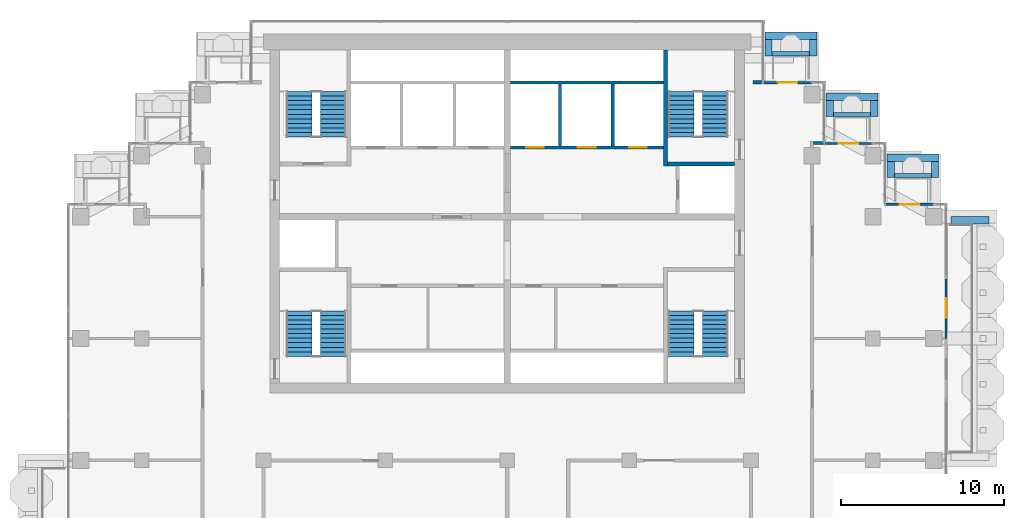
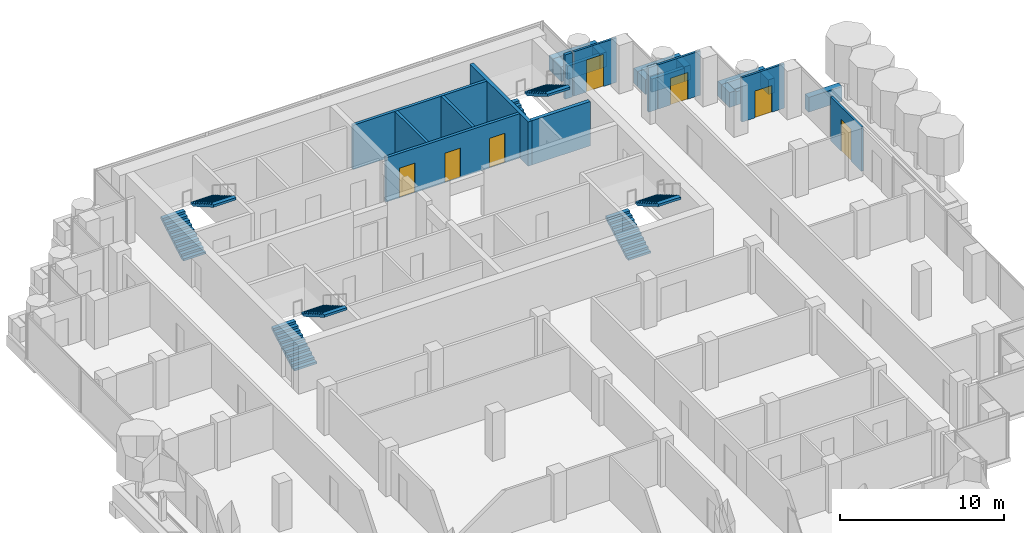
# One storey, part 14 of 18: 25 walls, 8 stair flights, 7 doors, 7 openings, 4 elements without a shape of their own.
"""IFC4 building model written with IfcOpenShell, lengths in metres."""

from ifc_helpers import new_model, si_unit, direction, frame, frame_2d, origin, place, context, subcontext, project, spatial, polyline, rectangle, outline, extrude, material, layer, layer_set, type_object, element, fill, aggregate, save


model = new_model("IFC4")

# Units and contexts
model_context = context("Model", 3, precision=1e-05, world=origin(), true_north=direction((0.0, 1.0)))
body_context = subcontext(model_context, "Body", "Model", "MODEL_VIEW")
ifc_project = project(units=[si_unit("LENGTHUNIT", "METRE"), si_unit("AREAUNIT", "SQUARE_METRE"), si_unit("VOLUMEUNIT", "CUBIC_METRE"), si_unit("PLANEANGLEUNIT", "RADIAN"), si_unit("MASSUNIT", "GRAM", prefix="KILO")], contexts=[model_context])

# Site, building, storey
site_placement = place(None, origin())
site = spatial("IfcSite", under=ifc_project, at=site_placement, CompositionType="ELEMENT")
building_placement = place(site_placement, origin())
building = spatial("IfcBuilding", under=site, at=building_placement, Name="Pilkhan Gate Tower", CompositionType="ELEMENT")
storey_placement = place(building_placement, frame((0.0, 0.0, 195.89990234375)))
storey = spatial("IfcBuildingStorey", under=building, at=storey_placement, Name="L50", CompositionType="ELEMENT", Elevation=195.89990234375)

# Walls
ifc_material_1 = material(Name="Concrete C40/50", Category="concrete")
ifc_layer_1 = layer(ifc_material_1, 0.25)
ifc_layer_set_1 = layer_set([ifc_layer_1], Name="Balcony planter BP250")
wall_type_1 = type_object("IfcWallType", Name="Balcony planter BP250", PredefinedType="USERDEFINED", material=ifc_layer_set_1)
wall_1_placement = place(storey_placement, frame((91.300048828125, 92.52490234375, 0.0), z_axis=(0.0, 0.0, 1.0), x_axis=(1.0, 0.0, 0.0)))
element("IfcWall", 1, at=wall_1_placement, inside=storey, type_object=wall_type_1, Name="Balcony planter L50 N", ObjectType="BALCONY PLANTER", PredefinedType="USERDEFINED", context=body_context, shape_type="SweptSolid", body=[
    extrude(rectangle(XDim=2.300048828125, YDim=0.25, at=frame_2d((1.14990234375, 0.0))), origin(), (0.0, 0.0, 1.0), 1.0),
])
for number, where, z_axis, x_axis, name in (
    (2, (95.070068359375, 88.77490234375, 0.0), (0.0, 0.0, 1.0), (1.0, 0.0, 0.0), "Balcony planter L50 N"),
    (3, (98.820068359375, 85.02490234375, 0.0), (0.0, 0.0, 1.0), (1.0, 0.0, 0.0), "Balcony planter L50 N"),
):
    element("IfcWall", number, at=place(storey_placement, frame(where, z_axis=z_axis, x_axis=x_axis)), inside=storey, type_object=wall_type_1, Name=name, ObjectType="BALCONY PLANTER", PredefinedType="USERDEFINED", context=body_context, shape_type="SweptSolid", body=[
        extrude(rectangle(XDim=2.280029296875, YDim=0.25, at=frame_2d((1.14013671875, 0.0))), origin(), (0.0, 0.0, 1.0), 1.0),
    ])
ifc_material_2 = material(Name="Board-marked Concrete C40/50", Category="concrete")
ifc_layer_2 = layer(ifc_material_2, 0.449951171875)
ifc_layer_set_2 = layer_set([ifc_layer_2], Name="Balcony planter lip BL450")
wall_type_2 = type_object("IfcWallType", Name="Balcony planter lip BL450", PredefinedType="USERDEFINED", material=ifc_layer_set_2)
wall_2_placement = place(storey_placement, frame((102.300048828125, 82.27490234375, 0.0), z_axis=(0.0, 0.0, 1.0), x_axis=(1.0, 0.0, 0.0)))
element("IfcWall", 4, at=wall_2_placement, inside=storey, type_object=wall_type_2, Name="Balcony planter L50 E", ObjectType="BALCONY PLANTER", PredefinedType="USERDEFINED", context=body_context, shape_type="SweptSolid", body=[
    extrude(rectangle(XDim=2.349853515625, YDim=0.449951171875, at=frame_2d((1.1748046875, 0.0))), origin(), (0.0, 0.0, 1.0), 1.10009765625),
])
wall_3_placement = place(storey_placement, frame((90.85009765625, 93.625, 0.0), z_axis=(0.0, 0.0, 1.0), x_axis=(1.0, 0.0, 0.0)))
element("IfcWall", 5, at=wall_3_placement, inside=storey, type_object=wall_type_2, Name="Balcony planter L50 N", ObjectType="BALCONY PLANTER", PredefinedType="USERDEFINED", context=body_context, shape_type="SweptSolid", body=[
    extrude(rectangle(XDim=3.199951171875, YDim=0.449951171875, at=frame_2d((1.60009765625, 0.0))), origin(), (0.0, 0.0, 1.0), 1.10009765625),
])
for number, where, z_axis, x_axis, name in (
    (6, (91.074951171875, 92.39990234375, 0.0), (0.0, 0.0, 1.0), (0.0, 1.0, 0.0), "Balcony planter L50 N"),
    (7, (93.824951171875, 92.39990234375, 0.0), (0.0, 0.0, 1.0), (0.0, 1.0, 0.0), "Balcony planter L50 N"),
):
    element("IfcWall", number, at=place(storey_placement, frame(where, z_axis=z_axis, x_axis=x_axis)), inside=storey, type_object=wall_type_2, Name=name, ObjectType="BALCONY PLANTER", PredefinedType="USERDEFINED", context=body_context, shape_type="SweptSolid", body=[
        extrude(rectangle(XDim=1.0, YDim=0.449951171875, at=frame_2d((0.5, 0.0))), origin(), (0.0, 0.0, 1.0), 1.10009765625),
    ])
wall_4_placement = place(storey_placement, frame((94.6201171875, 89.875, 0.0), z_axis=(0.0, 0.0, 1.0), x_axis=(1.0, 0.0, 0.0)))
element("IfcWall", 8, at=wall_4_placement, inside=storey, type_object=wall_type_2, Name="Balcony planter L50 N", ObjectType="BALCONY PLANTER", PredefinedType="USERDEFINED", context=body_context, shape_type="SweptSolid", body=[
    extrude(rectangle(XDim=3.179931640625, YDim=0.449951171875, at=frame_2d((1.58984375, 0.0))), origin(), (0.0, 0.0, 1.0), 1.10009765625),
])
for number, where, z_axis, x_axis, name in (
    (9, (94.844970703125, 88.64990234375, 0.0), (0.0, 0.0, 1.0), (0.0, 1.0, 0.0), "Balcony planter L50 N"),
    (10, (97.574951171875, 88.64990234375, 0.0), (0.0, 0.0, 1.0), (0.0, 1.0, 0.0), "Balcony planter L50 N"),
):
    element("IfcWall", number, at=place(storey_placement, frame(where, z_axis=z_axis, x_axis=x_axis)), inside=storey, type_object=wall_type_2, Name=name, ObjectType="BALCONY PLANTER", PredefinedType="USERDEFINED", context=body_context, shape_type="SweptSolid", body=[
        extrude(rectangle(XDim=1.0, YDim=0.449951171875, at=frame_2d((0.5, 0.0))), origin(), (0.0, 0.0, 1.0), 1.10009765625),
    ])
wall_5_placement = place(storey_placement, frame((98.3701171875, 86.125, 0.0), z_axis=(0.0, 0.0, 1.0), x_axis=(1.0, 0.0, 0.0)))
element("IfcWall", 11, at=wall_5_placement, inside=storey, type_object=wall_type_2, Name="Balcony planter L50 N", ObjectType="BALCONY PLANTER", PredefinedType="USERDEFINED", context=body_context, shape_type="SweptSolid", body=[
    extrude(rectangle(XDim=3.179931640625, YDim=0.449951171875, at=frame_2d((1.58984375, 0.0))), origin(), (0.0, 0.0, 1.0), 1.10009765625),
])
for number, where, z_axis, x_axis, name in (
    (12, (98.594970703125, 84.89990234375, 0.0), (0.0, 0.0, 1.0), (0.0, 1.0, 0.0), "Balcony planter L50 N"),
    (13, (101.324951171875, 84.89990234375, 0.0), (0.0, 0.0, 1.0), (0.0, 1.0, 0.0), "Balcony planter L50 N"),
):
    element("IfcWall", number, at=place(storey_placement, frame(where, z_axis=z_axis, x_axis=x_axis)), inside=storey, type_object=wall_type_2, Name=name, ObjectType="BALCONY PLANTER", PredefinedType="USERDEFINED", context=body_context, shape_type="SweptSolid", body=[
        extrude(rectangle(XDim=1.0, YDim=0.449951171875, at=frame_2d((0.5, 0.0))), origin(), (0.0, 0.0, 1.0), 1.10009765625),
    ])
ifc_material_3 = material(Name="Dense blockwork", Category="masonry")
ifc_layer_3 = layer(ifc_material_3, 0.199951171875)
ifc_layer_set_3 = layer_set([ifc_layer_3], Name="Corridor wall FW200")
wall_type_3 = type_object("IfcWallType", Name="Corridor wall FW200", PredefinedType="PARTITIONING", material=ifc_layer_set_3)
wall_6_placement = place(storey_placement, frame((93.85009765625, 87.030029296875, 0.0), z_axis=(0.0, 0.0, 1.0), x_axis=(1.0, 0.0, 0.0)))
element("IfcWall", 14, at=wall_6_placement, inside=storey, type_object=wall_type_3, Name="Partition L50", PredefinedType="PARTITIONING", context=body_context, shape_type="SweptSolid", body=[
    extrude(rectangle(XDim=0.639892578125, YDim=0.199951171875, at=frame_2d((0.31982421875, 0.0))), origin(), (0.0, 0.0, 1.0), 3.300048828125),
])
wall_7_placement = place(storey_placement, frame((90.1201171875, 90.764892578125, 0.0), z_axis=(0.0, 0.0, 1.0), x_axis=(1.0, 0.0, 0.0)))
element("IfcWall", 15, at=wall_7_placement, inside=storey, type_object=wall_type_3, Name="Partition L50", PredefinedType="PARTITIONING", context=body_context, shape_type="SweptSolid", body=[
    extrude(rectangle(XDim=0.52490234375, YDim=0.199951171875, at=frame_2d((0.262451171875, 0.0))), origin(), (0.0, 0.0, 1.0), 3.300048828125),
])

# Wall, opening, door
ifc_material_4 = material(Name="Pale anodised aluminium, clear laminated glazing", Category="aluminium")
ifc_layer_4 = layer(ifc_material_4, 0.14990234375)
ifc_layer_set_4 = layer_set([ifc_layer_4], Name="Facade infill wall IW150")
wall_type_4 = type_object("IfcWallType", Name="Facade infill wall IW150", PredefinedType="SOLIDWALL", material=ifc_layer_set_4)
wall_8_placement = place(storey_placement, frame((102.0, 75.0, 0.0), z_axis=(0.0, 0.0, 1.0), x_axis=(0.0, 1.0, 0.0)))
wall_8 = element("IfcWall", 16, at=wall_8_placement, inside=storey, type_object=wall_type_4, Name="Infill wall L50 E", PredefinedType="SOLIDWALL", context=body_context, shape_type="SweptSolid", body=[
    extrude(rectangle(XDim=3.75, YDim=0.14990234375, at=frame_2d((1.875, 0.0))), origin(), (0.0, 0.0, 1.0), 3.300048828125),
])
opening_1_placement = place(wall_8_placement, frame((1.27490234375, 0.0, 0.0)))
opening_1 = element("IfcOpeningElement", 17, at=opening_1_placement, cuts=wall_8, Name="Opening D1", PredefinedType="OPENING", context=body_context, shape_type="SweptSolid", body=[
    extrude(rectangle(XDim=1.199951171875, YDim=2.39990234375, at=frame_2d((0.60009765625, 1.199951171875))), frame((0.0, 0.0849609375, 0.0), z_axis=(0.0, -1.0, 0.0), x_axis=(1.0, 0.0, 0.0)), (0.0, 0.0, 1.0), 0.169921875),
])
ifc_material_5 = material(Name="Pale anodised aluminium, clear glazing", Category="aluminium")
door_type_1 = type_object("IfcDoorType", Name="Balcony door D1 1200x2400", OperationType="SINGLE_SWING_LEFT", PredefinedType="DOOR", material=ifc_material_5)
door_1_placement = place(opening_1_placement, origin())
door_1 = element("IfcDoor", 18, at=door_1_placement, inside=storey, type_object=door_type_1, Name="Balcony door L50", OperationType="SINGLE_SWING_LEFT", OverallHeight=2.39990234375, OverallWidth=1.199951171875, PredefinedType="DOOR", context=body_context, shape_type="SweptSolid", body=[
    extrude(rectangle(XDim=1.199951171875, YDim=2.39990234375, at=frame_2d((0.60009765625, 1.199951171875))), frame((0.0, 0.02490234375, 0.0), z_axis=(0.0, -1.0, 0.0), x_axis=(1.0, 0.0, 0.0)), (0.0, 0.0, 1.0), 0.050048828125),
])
fill(opening_1, door_1)

wall_9_placement = place(storey_placement, frame((98.25, 83.25, 0.0), z_axis=(0.0, 0.0, 1.0), x_axis=(1.0, 0.0, 0.0)))
wall_9 = element("IfcWall", 19, at=wall_9_placement, inside=storey, type_object=wall_type_4, Name="Infill wall L50 N", PredefinedType="SOLIDWALL", context=body_context, shape_type="SweptSolid", body=[
    extrude(rectangle(XDim=3.0, YDim=0.14990234375, at=frame_2d((1.5, 0.0))), origin(), (0.0, 0.0, 1.0), 3.300048828125),
])
opening_2_placement = place(wall_9_placement, frame((0.89990234375, 0.0, 0.0)))
opening_2 = element("IfcOpeningElement", 20, at=opening_2_placement, cuts=wall_9, Name="Opening D1L", PredefinedType="OPENING", context=body_context, shape_type="SweptSolid", body=[
    extrude(rectangle(XDim=1.199951171875, YDim=2.0, at=frame_2d((0.60009765625, 1.0))), frame((0.0, 0.0849609375, 0.0), z_axis=(0.0, -1.0, 0.0), x_axis=(1.0, 0.0, 0.0)), (0.0, 0.0, 1.0), 0.169921875),
])
door_type_2 = type_object("IfcDoorType", Name="Balcony door D1L 1200x2000", OperationType="SINGLE_SWING_LEFT", PredefinedType="DOOR", material=ifc_material_5)
door_2_placement = place(opening_2_placement, origin())
door_2 = element("IfcDoor", 21, at=door_2_placement, inside=storey, type_object=door_type_2, Name="Balcony door L50", OperationType="SINGLE_SWING_LEFT", OverallHeight=2.0, OverallWidth=1.199951171875, PredefinedType="DOOR", context=body_context, shape_type="SweptSolid", body=[
    extrude(rectangle(XDim=1.199951171875, YDim=2.0, at=frame_2d((0.60009765625, 1.0))), frame((0.0, 0.02490234375, 0.0), z_axis=(0.0, -1.0, 0.0), x_axis=(1.0, 0.0, 0.0)), (0.0, 0.0, 1.0), 0.050048828125),
])
fill(opening_2, door_2)

wall_10_placement = place(storey_placement, frame((94.5, 87.0, 0.0), z_axis=(0.0, 0.0, 1.0), x_axis=(1.0, 0.0, 0.0)))
wall_10 = element("IfcWall", 22, at=wall_10_placement, inside=storey, type_object=wall_type_4, Name="Infill wall L50 N", PredefinedType="SOLIDWALL", context=body_context, shape_type="SweptSolid", body=[
    extrude(rectangle(XDim=3.0, YDim=0.14990234375, at=frame_2d((1.5, 0.0))), origin(), (0.0, 0.0, 1.0), 3.300048828125),
])
opening_3_placement = place(wall_10_placement, frame((0.89990234375, 0.0, 0.0)))
opening_3 = element("IfcOpeningElement", 23, at=opening_3_placement, cuts=wall_10, Name="Opening D1L", PredefinedType="OPENING", context=body_context, shape_type="SweptSolid", body=[
    extrude(rectangle(XDim=1.199951171875, YDim=2.0, at=frame_2d((0.60009765625, 1.0))), frame((0.0, 0.0849609375, 0.0), z_axis=(0.0, -1.0, 0.0), x_axis=(1.0, 0.0, 0.0)), (0.0, 0.0, 1.0), 0.169921875),
])
door_3_placement = place(opening_3_placement, origin())
door_3 = element("IfcDoor", 24, at=door_3_placement, inside=storey, type_object=door_type_2, Name="Balcony door L50", OperationType="SINGLE_SWING_LEFT", OverallHeight=2.0, OverallWidth=1.199951171875, PredefinedType="DOOR", context=body_context, shape_type="SweptSolid", body=[
    extrude(rectangle(XDim=1.199951171875, YDim=2.0, at=frame_2d((0.60009765625, 1.0))), frame((0.0, 0.02490234375, 0.0), z_axis=(0.0, -1.0, 0.0), x_axis=(1.0, 0.0, 0.0)), (0.0, 0.0, 1.0), 0.050048828125),
])
fill(opening_3, door_3)

wall_11_placement = place(storey_placement, frame((90.75, 90.75, 0.0), z_axis=(0.0, 0.0, 1.0), x_axis=(1.0, 0.0, 0.0)))
wall_11 = element("IfcWall", 25, at=wall_11_placement, inside=storey, type_object=wall_type_4, Name="Infill wall L50 N", PredefinedType="SOLIDWALL", context=body_context, shape_type="SweptSolid", body=[
    extrude(rectangle(XDim=3.0, YDim=0.14990234375, at=frame_2d((1.5, 0.0))), origin(), (0.0, 0.0, 1.0), 3.300048828125),
])
opening_4_placement = place(wall_11_placement, frame((0.89990234375, 0.0, 0.0)))
opening_4 = element("IfcOpeningElement", 26, at=opening_4_placement, cuts=wall_11, Name="Opening D1", PredefinedType="OPENING", context=body_context, shape_type="SweptSolid", body=[
    extrude(rectangle(XDim=1.199951171875, YDim=2.39990234375, at=frame_2d((0.60009765625, 1.199951171875))), frame((0.0, 0.0849609375, 0.0), z_axis=(0.0, -1.0, 0.0), x_axis=(1.0, 0.0, 0.0)), (0.0, 0.0, 1.0), 0.169921875),
])
door_4_placement = place(opening_4_placement, origin())
door_4 = element("IfcDoor", 27, at=door_4_placement, inside=storey, type_object=door_type_1, Name="Balcony door L50", OperationType="SINGLE_SWING_LEFT", OverallHeight=2.39990234375, OverallWidth=1.199951171875, PredefinedType="DOOR", context=body_context, shape_type="SweptSolid", body=[
    extrude(rectangle(XDim=1.199951171875, YDim=2.39990234375, at=frame_2d((0.60009765625, 1.199951171875))), frame((0.0, 0.02490234375, 0.0), z_axis=(0.0, -1.0, 0.0), x_axis=(1.0, 0.0, 0.0)), (0.0, 0.0, 1.0), 0.050048828125),
])
fill(opening_4, door_4)

# Wall, openings, doors
ifc_material_6 = material(Name="Reinforced blockwork shaft wall, 120 minute fire resisting", Category="masonry")
ifc_layer_5 = layer(ifc_material_6, 0.199951171875)
ifc_layer_set_5 = layer_set([ifc_layer_5], Name="Shaft wall SW200")
wall_type_5 = type_object("IfcWallType", Name="Shaft wall SW200", PredefinedType="PARTITIONING", material=ifc_layer_set_5)
wall_12_placement = place(storey_placement, frame((75.2099609375, 86.75, 0.0), z_axis=(0.0, 0.0, 1.0), x_axis=(1.0, 0.0, 0.0)))
wall_12 = element("IfcWall", 28, at=wall_12_placement, inside=storey, type_object=wall_type_5, Name="Partition L50", PredefinedType="PARTITIONING", context=body_context, shape_type="SweptSolid", body=[
    extrude(rectangle(XDim=9.4150390625, YDim=0.199951171875, at=frame_2d((4.70751953125, 0.0))), origin(), (0.0, 0.0, 1.0), 3.300048828125),
])
opening_5_placement = place(wall_12_placement, frame((0.949951171875, 0.0, 0.0)))
opening_5 = element("IfcOpeningElement", 29, at=opening_5_placement, cuts=wall_12, Name="Opening LD", PredefinedType="OPENING", context=body_context, shape_type="SweptSolid", body=[
    extrude(rectangle(XDim=1.10009765625, YDim=2.199951171875, at=frame_2d((0.550048828125, 1.10009765625))), frame((0.0, 0.10986328125, 0.0), z_axis=(0.0, -1.0, 0.0), x_axis=(1.0, 0.0, 0.0)), (0.0, 0.0, 1.0), 0.219970703125),
])
opening_6_placement = place(wall_12_placement, frame((4.139892578125, 0.0, 0.0)))
opening_6 = element("IfcOpeningElement", 30, at=opening_6_placement, cuts=wall_12, Name="Opening LD", PredefinedType="OPENING", context=body_context, shape_type="SweptSolid", body=[
    extrude(rectangle(XDim=1.10009765625, YDim=2.199951171875, at=frame_2d((0.550048828125, 1.10009765625))), frame((0.0, 0.10986328125, 0.0), z_axis=(0.0, -1.0, 0.0), x_axis=(1.0, 0.0, 0.0)), (0.0, 0.0, 1.0), 0.219970703125),
])
opening_7_placement = place(wall_12_placement, frame((7.2900390625, 0.0, 0.0)))
opening_7 = element("IfcOpeningElement", 31, at=opening_7_placement, cuts=wall_12, Name="Opening LD", PredefinedType="OPENING", context=body_context, shape_type="SweptSolid", body=[
    extrude(rectangle(XDim=1.10009765625, YDim=2.199951171875, at=frame_2d((0.550048828125, 1.10009765625))), frame((0.0, 0.10986328125, 0.0), z_axis=(0.0, -1.0, 0.0), x_axis=(1.0, 0.0, 0.0)), (0.0, 0.0, 1.0), 0.219970703125),
])
ifc_material_7 = material(Name="Stainless steel centre-opening landing door, 120 minute fire resisting", Category="steel")
door_type_3 = type_object("IfcDoorType", Name="Lift landing door LD 1100x2200", OperationType="DOUBLE_DOOR_SLIDING", PredefinedType="DOOR", material=ifc_material_7)
door_5_placement = place(opening_5_placement, origin())
door_5 = element("IfcDoor", 32, at=door_5_placement, inside=storey, type_object=door_type_3, Name="Landing door HR1", OperationType="DOUBLE_DOOR_SLIDING", OverallHeight=2.199951171875, OverallWidth=1.10009765625, PredefinedType="DOOR", context=body_context, shape_type="SweptSolid", body=[
    extrude(rectangle(XDim=1.10009765625, YDim=2.199951171875, at=frame_2d((0.550048828125, 1.10009765625))), frame((0.0, 0.02490234375, 0.0), z_axis=(0.0, -1.0, 0.0), x_axis=(1.0, 0.0, 0.0)), (0.0, 0.0, 1.0), 0.050048828125),
])
fill(opening_5, door_5)
door_6_placement = place(opening_6_placement, origin())
door_6 = element("IfcDoor", 33, at=door_6_placement, inside=storey, type_object=door_type_3, Name="Landing door HR2", OperationType="DOUBLE_DOOR_SLIDING", OverallHeight=2.199951171875, OverallWidth=1.10009765625, PredefinedType="DOOR", context=body_context, shape_type="SweptSolid", body=[
    extrude(rectangle(XDim=1.10009765625, YDim=2.199951171875, at=frame_2d((0.550048828125, 1.10009765625))), frame((0.0, 0.02490234375, 0.0), z_axis=(0.0, -1.0, 0.0), x_axis=(1.0, 0.0, 0.0)), (0.0, 0.0, 1.0), 0.050048828125),
])
fill(opening_6, door_6)
door_7_placement = place(opening_7_placement, origin())
door_7 = element("IfcDoor", 34, at=door_7_placement, inside=storey, type_object=door_type_3, Name="Landing door HR3", OperationType="DOUBLE_DOOR_SLIDING", OverallHeight=2.199951171875, OverallWidth=1.10009765625, PredefinedType="DOOR", context=body_context, shape_type="SweptSolid", body=[
    extrude(rectangle(XDim=1.10009765625, YDim=2.199951171875, at=frame_2d((0.550048828125, 1.10009765625))), frame((0.0, 0.02490234375, 0.0), z_axis=(0.0, -1.0, 0.0), x_axis=(1.0, 0.0, 0.0)), (0.0, 0.0, 1.0), 0.050048828125),
])
fill(opening_7, door_7)

# Walls
wall_13_placement = place(storey_placement, frame((75.2099609375, 90.75, 0.0), z_axis=(0.0, 0.0, 1.0), x_axis=(1.0, 0.0, 0.0)))
element("IfcWall", 35, at=wall_13_placement, inside=storey, type_object=wall_type_5, Name="Partition L50", PredefinedType="PARTITIONING", context=body_context, shape_type="SweptSolid", body=[
    extrude(rectangle(XDim=9.4150390625, YDim=0.199951171875, at=frame_2d((4.70751953125, 0.0))), origin(), (0.0, 0.0, 1.0), 3.300048828125),
])
for number, where, z_axis, x_axis, name in (
    (36, (78.25, 86.85009765625, 0.0), (0.0, 0.0, 1.0), (0.0, 1.0, 0.0), "Partition L50"),
    (37, (81.5, 86.85009765625, 0.0), (0.0, 0.0, 1.0), (0.0, 1.0, 0.0), "Partition L50"),
):
    element("IfcWall", number, at=place(storey_placement, frame(where, z_axis=z_axis, x_axis=x_axis)), inside=storey, type_object=wall_type_5, Name=name, PredefinedType="PARTITIONING", context=body_context, shape_type="SweptSolid", body=[
        extrude(rectangle(XDim=3.7998046875, YDim=0.199951171875, at=frame_2d((1.89990234375, 0.0))), origin(), (0.0, 0.0, 1.0), 3.300048828125),
    ])
ifc_material_8 = material(Name="Reinforced blockwork, 120 minute fire resisting", Category="masonry")
ifc_layer_6 = layer(ifc_material_8, 0.25)
ifc_layer_set_6 = layer_set([ifc_layer_6], Name="Stair enclosure wall SE250")
wall_type_6 = type_object("IfcWallType", Name="Stair enclosure wall SE250", PredefinedType="PARTITIONING", material=ifc_layer_set_6)
wall_14_placement = place(storey_placement, frame((84.875, 85.75, 0.0), z_axis=(0.0, 0.0, 1.0), x_axis=(1.0, 0.0, 0.0)))
element("IfcWall", 38, at=wall_14_placement, inside=storey, type_object=wall_type_6, Name="Partition L50", PredefinedType="PARTITIONING", context=body_context, shape_type="SweptSolid", body=[
    extrude(rectangle(XDim=4.114990234375, YDim=0.25, at=frame_2d((2.0576171875, 0.0))), origin(), (0.0, 0.0, 1.0), 3.300048828125),
])
wall_15_placement = place(storey_placement, frame((84.75, 85.625, 0.0), z_axis=(0.0, 0.0, 1.0), x_axis=(0.0, 1.0, 0.0)))
element("IfcWall", 39, at=wall_15_placement, inside=storey, type_object=wall_type_6, Name="Partition L50", PredefinedType="PARTITIONING", context=body_context, shape_type="SweptSolid", body=[
    extrude(rectangle(XDim=7.114990234375, YDim=0.25, at=frame_2d((3.5576171875, 0.0))), origin(), (0.0, 0.0, 1.0), 3.300048828125),
])

# Stair, stair flights
ifc_material_9 = material(Name="Concrete C40/50 precast", Category="concrete")
stair_type_1 = type_object("IfcStairType", Name="Stair ST1 164x280", PredefinedType="HALF_TURN_STAIR", material=ifc_material_9)
stair_1_placement = place(storey_placement, origin())
stair_1 = element("IfcStair", 40, at=stair_1_placement, inside=storey, type_object=stair_type_1, Name="Stair ST1 L50", PredefinedType="HALF_TURN_STAIR")
stair_flight_type_1 = type_object("IfcStairFlightType", Name="Stair flight ST1 164x280x11", PredefinedType="STRAIGHT", material=ifc_material_9)
stair_flight_1_placement = place(storey_placement, frame((85.68994140625, 73.89990234375, 0.0), z_axis=(0.0, 0.0, 1.0), x_axis=(0.0, 1.0, 0.0)))
stair_flight_1 = element("IfcStairFlight", 41, at=stair_flight_1_placement, type_object=stair_flight_type_1, Name="ST1 flight 1", NumberOfRisers=11, NumberOfTreads=10, PredefinedType="STRAIGHT", RiserHeight=0.163636364, TreadLength=0.28, context=body_context, shape_type="SweptSolid", body=[
    extrude(outline(polyline([(0.0, 0.0), (0.0, 0.16357421875), (0.280029296875, 0.16357421875), (0.280029296875, 0.327392578125), (0.56005859375, 0.327392578125), (0.56005859375, 0.490966796875), (0.840087890625, 0.490966796875), (0.840087890625, 0.654541015625), (1.1201171875, 0.654541015625), (1.1201171875, 0.818115234375), (1.39990234375, 0.818115234375), (1.39990234375, 0.98193359375), (1.679931640625, 0.98193359375), (1.679931640625, 1.1455078125), (1.9599609375, 1.1455078125), (1.9599609375, 1.30908203125), (2.239990234375, 1.30908203125), (2.239990234375, 1.47265625), (2.52001953125, 1.47265625), (2.52001953125, 1.636474609375), (2.800048828125, 1.636474609375), (2.800048828125, 1.800048828125), (2.800048828125, 1.462646484375), (0.297119140625, 0.0), (0.0, 0.0)])), frame((0.0, 0.7900390625, 0.0), z_axis=(0.0, -1.0, 0.0), x_axis=(1.0, 0.0, 0.0)), (0.0, 0.0, 1.0), 1.580078125),
])
stair_flight_2_placement = place(storey_placement, frame((87.81005859375, 76.699951171875, 1.800048828125), z_axis=(0.0, 0.0, 1.0), x_axis=(0.0, -1.0, 0.0)))
stair_flight_2 = element("IfcStairFlight", 42, at=stair_flight_2_placement, type_object=stair_flight_type_1, Name="ST1 flight 2", NumberOfRisers=11, NumberOfTreads=10, PredefinedType="STRAIGHT", RiserHeight=0.163636364, TreadLength=0.28, context=body_context, shape_type="SweptSolid", body=[
    extrude(outline(polyline([(0.0, 0.0), (0.0, 0.16357421875), (0.280029296875, 0.16357421875), (0.280029296875, 0.327392578125), (0.56005859375, 0.327392578125), (0.56005859375, 0.490966796875), (0.840087890625, 0.490966796875), (0.840087890625, 0.654541015625), (1.1201171875, 0.654541015625), (1.1201171875, 0.818115234375), (1.39990234375, 0.818115234375), (1.39990234375, 0.98193359375), (1.679931640625, 0.98193359375), (1.679931640625, 1.1455078125), (1.9599609375, 1.1455078125), (1.9599609375, 1.30908203125), (2.239990234375, 1.30908203125), (2.239990234375, 1.47265625), (2.52001953125, 1.47265625), (2.52001953125, 1.636474609375), (2.800048828125, 1.636474609375), (2.800048828125, 1.800048828125), (2.800048828125, 1.462646484375), (0.297119140625, 0.0), (0.0, 0.0)])), frame((0.0, 0.7900390625, 0.0), z_axis=(0.0, -1.0, 0.0), x_axis=(1.0, 0.0, 0.0)), (0.0, 0.0, 1.0), 1.580078125),
])
aggregate(stair_1, [stair_flight_1, stair_flight_2])

stair_type_2 = type_object("IfcStairType", Name="Stair ST2 164x280", PredefinedType="HALF_TURN_STAIR", material=ifc_material_9)
stair_2_placement = place(storey_placement, origin())
stair_2 = element("IfcStair", 43, at=stair_2_placement, inside=storey, type_object=stair_type_2, Name="Stair ST2 L50", PredefinedType="HALF_TURN_STAIR")
stair_flight_type_2 = type_object("IfcStairFlightType", Name="Stair flight ST2 164x280x11", PredefinedType="STRAIGHT", material=ifc_material_9)
stair_flight_3_placement = place(storey_placement, frame((62.18994140625, 73.89990234375, 0.0), z_axis=(0.0, 0.0, 1.0), x_axis=(0.0, 1.0, 0.0)))
stair_flight_3 = element("IfcStairFlight", 44, at=stair_flight_3_placement, type_object=stair_flight_type_2, Name="ST2 flight 1", NumberOfRisers=11, NumberOfTreads=10, PredefinedType="STRAIGHT", RiserHeight=0.163636364, TreadLength=0.28, context=body_context, shape_type="SweptSolid", body=[
    extrude(outline(polyline([(0.0, 0.0), (0.0, 0.16357421875), (0.280029296875, 0.16357421875), (0.280029296875, 0.327392578125), (0.56005859375, 0.327392578125), (0.56005859375, 0.490966796875), (0.840087890625, 0.490966796875), (0.840087890625, 0.654541015625), (1.1201171875, 0.654541015625), (1.1201171875, 0.818115234375), (1.39990234375, 0.818115234375), (1.39990234375, 0.98193359375), (1.679931640625, 0.98193359375), (1.679931640625, 1.1455078125), (1.9599609375, 1.1455078125), (1.9599609375, 1.30908203125), (2.239990234375, 1.30908203125), (2.239990234375, 1.47265625), (2.52001953125, 1.47265625), (2.52001953125, 1.636474609375), (2.800048828125, 1.636474609375), (2.800048828125, 1.800048828125), (2.800048828125, 1.462646484375), (0.297119140625, 0.0), (0.0, 0.0)])), frame((0.0, 0.7900390625, 0.0), z_axis=(0.0, -1.0, 0.0), x_axis=(1.0, 0.0, 0.0)), (0.0, 0.0, 1.0), 1.580078125),
])
stair_flight_4_placement = place(storey_placement, frame((64.31005859375, 76.699951171875, 1.800048828125), z_axis=(0.0, 0.0, 1.0), x_axis=(0.0, -1.0, 0.0)))
stair_flight_4 = element("IfcStairFlight", 45, at=stair_flight_4_placement, type_object=stair_flight_type_2, Name="ST2 flight 2", NumberOfRisers=11, NumberOfTreads=10, PredefinedType="STRAIGHT", RiserHeight=0.163636364, TreadLength=0.28, context=body_context, shape_type="SweptSolid", body=[
    extrude(outline(polyline([(0.0, 0.0), (0.0, 0.16357421875), (0.280029296875, 0.16357421875), (0.280029296875, 0.327392578125), (0.56005859375, 0.327392578125), (0.56005859375, 0.490966796875), (0.840087890625, 0.490966796875), (0.840087890625, 0.654541015625), (1.1201171875, 0.654541015625), (1.1201171875, 0.818115234375), (1.39990234375, 0.818115234375), (1.39990234375, 0.98193359375), (1.679931640625, 0.98193359375), (1.679931640625, 1.1455078125), (1.9599609375, 1.1455078125), (1.9599609375, 1.30908203125), (2.239990234375, 1.30908203125), (2.239990234375, 1.47265625), (2.52001953125, 1.47265625), (2.52001953125, 1.636474609375), (2.800048828125, 1.636474609375), (2.800048828125, 1.800048828125), (2.800048828125, 1.462646484375), (0.297119140625, 0.0), (0.0, 0.0)])), frame((0.0, 0.7900390625, 0.0), z_axis=(0.0, -1.0, 0.0), x_axis=(1.0, 0.0, 0.0)), (0.0, 0.0, 1.0), 1.580078125),
])
aggregate(stair_2, [stair_flight_3, stair_flight_4])

stair_type_3 = type_object("IfcStairType", Name="Stair ST3 164x280", PredefinedType="HALF_TURN_STAIR", material=ifc_material_9)
stair_3_placement = place(storey_placement, origin())
stair_3 = element("IfcStair", 46, at=stair_3_placement, inside=storey, type_object=stair_type_3, Name="Stair ST3 L50", PredefinedType="HALF_TURN_STAIR")
stair_flight_type_3 = type_object("IfcStairFlightType", Name="Stair flight ST3 164x280x11", PredefinedType="STRAIGHT", material=ifc_material_9)
stair_flight_5_placement = place(storey_placement, frame((62.18994140625, 87.39990234375, 0.0), z_axis=(0.0, 0.0, 1.0), x_axis=(0.0, 1.0, 0.0)))
stair_flight_5 = element("IfcStairFlight", 47, at=stair_flight_5_placement, type_object=stair_flight_type_3, Name="ST3 flight 1", NumberOfRisers=11, NumberOfTreads=10, PredefinedType="STRAIGHT", RiserHeight=0.163636364, TreadLength=0.28, context=body_context, shape_type="SweptSolid", body=[
    extrude(outline(polyline([(0.0, 0.0), (0.0, 0.16357421875), (0.280029296875, 0.16357421875), (0.280029296875, 0.327392578125), (0.56005859375, 0.327392578125), (0.56005859375, 0.490966796875), (0.840087890625, 0.490966796875), (0.840087890625, 0.654541015625), (1.1201171875, 0.654541015625), (1.1201171875, 0.818115234375), (1.39990234375, 0.818115234375), (1.39990234375, 0.98193359375), (1.679931640625, 0.98193359375), (1.679931640625, 1.1455078125), (1.9599609375, 1.1455078125), (1.9599609375, 1.30908203125), (2.239990234375, 1.30908203125), (2.239990234375, 1.47265625), (2.52001953125, 1.47265625), (2.52001953125, 1.636474609375), (2.800048828125, 1.636474609375), (2.800048828125, 1.800048828125), (2.800048828125, 1.462646484375), (0.297119140625, 0.0), (0.0, 0.0)])), frame((0.0, 0.7900390625, 0.0), z_axis=(0.0, -1.0, 0.0), x_axis=(1.0, 0.0, 0.0)), (0.0, 0.0, 1.0), 1.580078125),
])
stair_flight_6_placement = place(storey_placement, frame((64.31005859375, 90.199951171875, 1.800048828125), z_axis=(0.0, 0.0, 1.0), x_axis=(0.0, -1.0, 0.0)))
stair_flight_6 = element("IfcStairFlight", 48, at=stair_flight_6_placement, type_object=stair_flight_type_3, Name="ST3 flight 2", NumberOfRisers=11, NumberOfTreads=10, PredefinedType="STRAIGHT", RiserHeight=0.163636364, TreadLength=0.28, context=body_context, shape_type="SweptSolid", body=[
    extrude(outline(polyline([(0.0, 0.0), (0.0, 0.16357421875), (0.280029296875, 0.16357421875), (0.280029296875, 0.327392578125), (0.56005859375, 0.327392578125), (0.56005859375, 0.490966796875), (0.840087890625, 0.490966796875), (0.840087890625, 0.654541015625), (1.1201171875, 0.654541015625), (1.1201171875, 0.818115234375), (1.39990234375, 0.818115234375), (1.39990234375, 0.98193359375), (1.679931640625, 0.98193359375), (1.679931640625, 1.1455078125), (1.9599609375, 1.1455078125), (1.9599609375, 1.30908203125), (2.239990234375, 1.30908203125), (2.239990234375, 1.47265625), (2.52001953125, 1.47265625), (2.52001953125, 1.636474609375), (2.800048828125, 1.636474609375), (2.800048828125, 1.800048828125), (2.800048828125, 1.462646484375), (0.297119140625, 0.0), (0.0, 0.0)])), frame((0.0, 0.7900390625, 0.0), z_axis=(0.0, -1.0, 0.0), x_axis=(1.0, 0.0, 0.0)), (0.0, 0.0, 1.0), 1.580078125),
])
aggregate(stair_3, [stair_flight_5, stair_flight_6])

stair_type_4 = type_object("IfcStairType", Name="Stair ST4 164x280", PredefinedType="HALF_TURN_STAIR", material=ifc_material_9)
stair_4_placement = place(storey_placement, origin())
stair_4 = element("IfcStair", 49, at=stair_4_placement, inside=storey, type_object=stair_type_4, Name="Stair ST4 L50", PredefinedType="HALF_TURN_STAIR")
stair_flight_type_4 = type_object("IfcStairFlightType", Name="Stair flight ST4 164x280x11", PredefinedType="STRAIGHT", material=ifc_material_9)
stair_flight_7_placement = place(storey_placement, frame((85.68994140625, 87.39990234375, 0.0), z_axis=(0.0, 0.0, 1.0), x_axis=(0.0, 1.0, 0.0)))
stair_flight_7 = element("IfcStairFlight", 50, at=stair_flight_7_placement, type_object=stair_flight_type_4, Name="ST4 flight 1", NumberOfRisers=11, NumberOfTreads=10, PredefinedType="STRAIGHT", RiserHeight=0.163636364, TreadLength=0.28, context=body_context, shape_type="SweptSolid", body=[
    extrude(outline(polyline([(0.0, 0.0), (0.0, 0.16357421875), (0.280029296875, 0.16357421875), (0.280029296875, 0.327392578125), (0.56005859375, 0.327392578125), (0.56005859375, 0.490966796875), (0.840087890625, 0.490966796875), (0.840087890625, 0.654541015625), (1.1201171875, 0.654541015625), (1.1201171875, 0.818115234375), (1.39990234375, 0.818115234375), (1.39990234375, 0.98193359375), (1.679931640625, 0.98193359375), (1.679931640625, 1.1455078125), (1.9599609375, 1.1455078125), (1.9599609375, 1.30908203125), (2.239990234375, 1.30908203125), (2.239990234375, 1.47265625), (2.52001953125, 1.47265625), (2.52001953125, 1.636474609375), (2.800048828125, 1.636474609375), (2.800048828125, 1.800048828125), (2.800048828125, 1.462646484375), (0.297119140625, 0.0), (0.0, 0.0)])), frame((0.0, 0.7900390625, 0.0), z_axis=(0.0, -1.0, 0.0), x_axis=(1.0, 0.0, 0.0)), (0.0, 0.0, 1.0), 1.580078125),
])
stair_flight_8_placement = place(storey_placement, frame((87.81005859375, 90.199951171875, 1.800048828125), z_axis=(0.0, 0.0, 1.0), x_axis=(0.0, -1.0, 0.0)))
stair_flight_8 = element("IfcStairFlight", 51, at=stair_flight_8_placement, type_object=stair_flight_type_4, Name="ST4 flight 2", NumberOfRisers=11, NumberOfTreads=10, PredefinedType="STRAIGHT", RiserHeight=0.163636364, TreadLength=0.28, context=body_context, shape_type="SweptSolid", body=[
    extrude(outline(polyline([(0.0, 0.0), (0.0, 0.16357421875), (0.280029296875, 0.16357421875), (0.280029296875, 0.327392578125), (0.56005859375, 0.327392578125), (0.56005859375, 0.490966796875), (0.840087890625, 0.490966796875), (0.840087890625, 0.654541015625), (1.1201171875, 0.654541015625), (1.1201171875, 0.818115234375), (1.39990234375, 0.818115234375), (1.39990234375, 0.98193359375), (1.679931640625, 0.98193359375), (1.679931640625, 1.1455078125), (1.9599609375, 1.1455078125), (1.9599609375, 1.30908203125), (2.239990234375, 1.30908203125), (2.239990234375, 1.47265625), (2.52001953125, 1.47265625), (2.52001953125, 1.636474609375), (2.800048828125, 1.636474609375), (2.800048828125, 1.800048828125), (2.800048828125, 1.462646484375), (0.297119140625, 0.0), (0.0, 0.0)])), frame((0.0, 0.7900390625, 0.0), z_axis=(0.0, -1.0, 0.0), x_axis=(1.0, 0.0, 0.0)), (0.0, 0.0, 1.0), 1.580078125),
])
aggregate(stair_4, [stair_flight_7, stair_flight_8])

save(model, "model.ifc")
